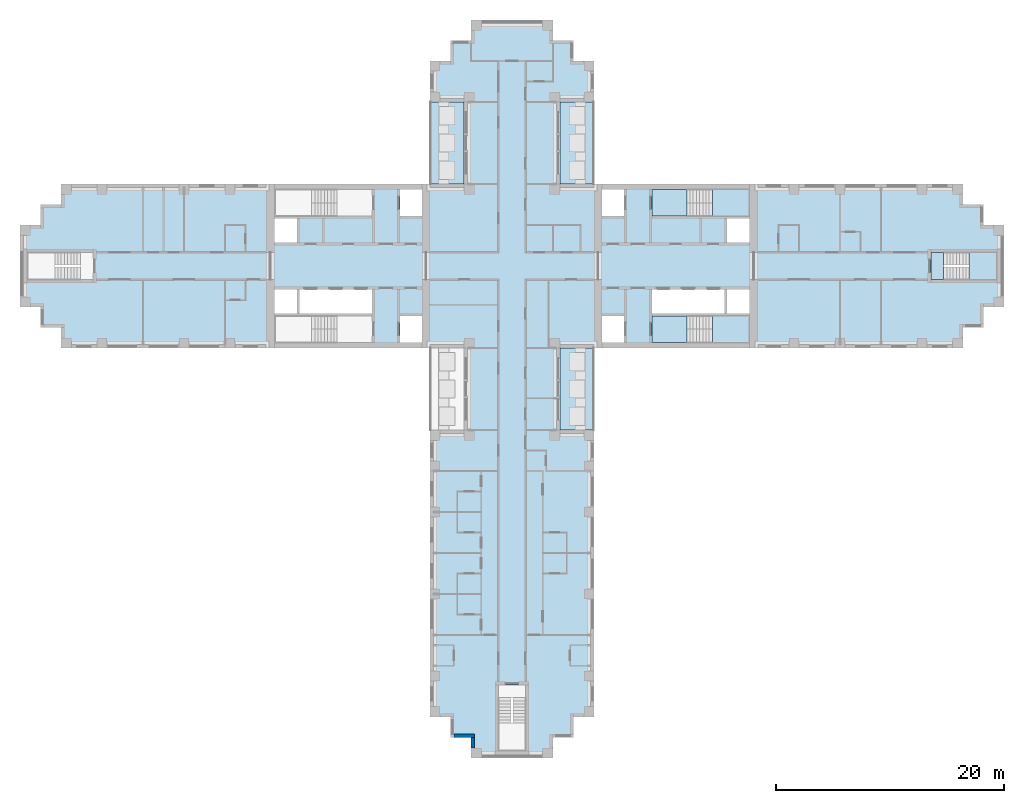
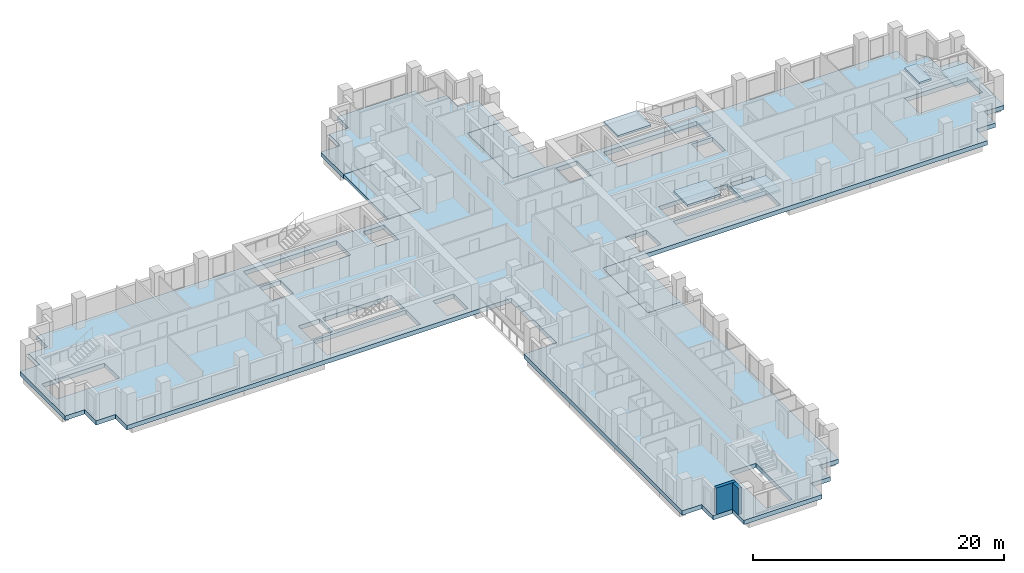
# One storey, part 2 of 13: 10 slabs, 2 walls, 3 elements without a shape of their own.
"""IFC4 building model written with IfcOpenShell, lengths in metres."""

import ifcopenshell
import ifcopenshell.guid

model = None  # the IFC model being written
_history = None  # IfcOwnerHistory: only IFC2X3 demands one
_inside = {}  # id of a spatial element -> (the spatial element, [elements in it])
_under = {}  # id of a project, library or spatial element -> (it, [spatial elements below it])
_declared = {}  # id of a project -> (the project, [libraries it declares])
_typed = {}  # id of a type object -> (the type object, [elements of that type])
_made_of = {}  # id of a material, layer set ... -> (it, [elements and type objects made of it])


def new_model(schema):
    """Start an empty IFC model of exactly this schema.

    Asked for "IFC4X3", IfcOpenShell would pick the latest addendum, in which some entities
    have other attributes; the version numbers below select the first issue.
    IFC2X3 requires an IfcOwnerHistory on every rooted entity: one is made here for all.
    """
    global model, _history
    if schema == "IFC4X3":
        model = ifcopenshell.file(schema_version=(4, 3, 0, 0))
    else:
        model = ifcopenshell.file(schema=schema)
    _inside.clear()
    _under.clear()
    _declared.clear()
    _typed.clear()
    _made_of.clear()
    _history = None
    if model.schema == "IFC2X3":
        org = make("IfcOrganization", Name="unknown")
        user = make(
            "IfcPersonAndOrganization",
            ThePerson=make("IfcPerson", FamilyName="unknown"),
            TheOrganization=org,
        )
        app = make(
            "IfcApplication",
            ApplicationDeveloper=org,
            Version="unknown",
            ApplicationFullName="unknown",
            ApplicationIdentifier="unknown",
        )
        _history = make(
            "IfcOwnerHistory",
            OwningUser=user,
            OwningApplication=app,
            ChangeAction="ADDED",
            CreationDate=0,
        )
    return model


def make(cls, **values):
    """One entity of the class cls with the attributes given. An attribute that is None is left unset."""
    return model.create_entity(
        cls, **{name: value for name, value in values.items() if value is not None}
    )


def rooted(cls, **values):
    """An entity with a GlobalId (a new one), such as an element, a storey or a relation."""
    return make(cls, GlobalId=ifcopenshell.guid.new(), OwnerHistory=_history, **values)


def si_unit(unit_type, name, prefix=None):
    """IfcSIUnit, for example si_unit("LENGTHUNIT", "METRE", prefix="MILLI")."""
    return make("IfcSIUnit", UnitType=unit_type, Prefix=prefix, Name=name)


def assignment(units):
    """IfcUnitAssignment: the units of a project."""
    return None if units is None else make("IfcUnitAssignment", Units=units)


def point(xyz):
    """IfcCartesianPoint."""
    return None if xyz is None else make("IfcCartesianPoint", Coordinates=xyz)


def direction(xyz):
    """IfcDirection."""
    return None if xyz is None else make("IfcDirection", DirectionRatios=xyz)


def frame(location, z_axis=None, x_axis=None):
    """IfcAxis2Placement3D, a coordinate frame: its origin and axes. An axis left out is left unset."""
    return make(
        "IfcAxis2Placement3D",
        Location=point(location),
        Axis=direction(z_axis),
        RefDirection=direction(x_axis),
    )


def frame_2d(location, x_axis=None):
    """IfcAxis2Placement2D, a coordinate frame in the plane: its origin and x axis."""
    return make(
        "IfcAxis2Placement2D", Location=point(location), RefDirection=direction(x_axis)
    )


def origin():
    """The frame at (0, 0, 0) with its axes left unset."""
    return frame((0.0, 0.0, 0.0))


def place(relative_to, where):
    """IfcLocalPlacement: puts the frame where relative to a parent placement (None: the world)."""
    return make(
        "IfcLocalPlacement", PlacementRelTo=relative_to, RelativePlacement=where
    )


def context(
    kind, dimensions, precision=None, world=None, true_north=None, identifier=None
):
    """IfcGeometricRepresentationContext, for example the 3D "Model" context."""
    return make(
        "IfcGeometricRepresentationContext",
        ContextIdentifier=identifier,
        ContextType=kind,
        CoordinateSpaceDimension=dimensions,
        Precision=precision,
        WorldCoordinateSystem=world,
        TrueNorth=true_north,
    )


def subcontext(parent, identifier, kind, view, scale=None):
    """IfcGeometricRepresentationSubContext, for example "Body" below "Model"."""
    return make(
        "IfcGeometricRepresentationSubContext",
        ContextIdentifier=identifier,
        ContextType=kind,
        ParentContext=parent,
        TargetScale=scale,
        TargetView=view,
    )


def project(units=None, contexts=None):
    """IfcProject with its units and contexts."""
    return rooted(
        "IfcProject",
        Name="project",
        RepresentationContexts=contexts,
        UnitsInContext=assignment(units),
    )


def spatial(cls, under=None, at=None, **own):
    """A site, building, storey or space (cls), placed at a placement, below another one or the project."""
    s = rooted(cls, ObjectPlacement=at, **own)
    if under is not None:
        _under.setdefault(under.id(), (under, []))[1].append(s)
    return s


def polyline(points):
    """IfcPolyline through the points."""
    return make("IfcPolyline", Points=[point(p) for p in points])


def profile(cls, at=None, kind="AREA", **sizes):
    """A parametric profile (cls). Its sizes go by their IFC names, for example OverallWidth=200.0."""
    return make(cls, ProfileType=kind, Position=at, **sizes)


def rectangle(**sizes):
    """IfcRectangleProfileDef."""
    return profile("IfcRectangleProfileDef", **sizes)


def outline(outer, holes=None, kind="AREA"):
    """IfcArbitraryClosedProfileDef: a profile drawn as a closed curve; with holes, ...WithVoids."""
    if holes is None:
        return make("IfcArbitraryClosedProfileDef", ProfileType=kind, OuterCurve=outer)
    return make(
        "IfcArbitraryProfileDefWithVoids",
        ProfileType=kind,
        OuterCurve=outer,
        InnerCurves=holes,
    )


def extrude(swept, where, along, depth):
    """IfcExtrudedAreaSolid: the profile swept, set in the frame where, extruded along a direction by depth."""
    return make(
        "IfcExtrudedAreaSolid",
        SweptArea=swept,
        Position=where,
        ExtrudedDirection=direction(along),
        Depth=depth,
    )


def shape(context_of_items, identifier, shape_type, items):
    """IfcShapeRepresentation: the items that make up one representation, for example the "Body"."""
    return make(
        "IfcShapeRepresentation",
        ContextOfItems=context_of_items,
        RepresentationIdentifier=identifier,
        RepresentationType=shape_type,
        Items=items,
    )


def material(Name=None, Category=None):
    """IfcMaterial."""
    return make("IfcMaterial", Name=Name, Category=Category)


def layer(
    of_material, thickness, ventilated=None, Name=None, Category=None, Priority=None
):
    """IfcMaterialLayer: one layer of a wall or slab, of a material (None: an air gap)."""
    return make(
        "IfcMaterialLayer",
        Material=of_material,
        LayerThickness=thickness,
        IsVentilated=ventilated,
        Name=Name,
        Category=Category,
        Priority=Priority,
    )


def layer_set(layers, Name=None):
    """IfcMaterialLayerSet."""
    return make("IfcMaterialLayerSet", MaterialLayers=layers, LayerSetName=Name)


def made_of(thing, what):
    """Note that an element or type object is made of a material, layer set ...; save() writes the relation."""
    if what is not None:
        _made_of.setdefault(what.id(), (what, []))[1].append(thing)
    return thing


def type_object(cls, material=None, **own):
    """A type object (cls), such as IfcWallType, which elements share."""
    return made_of(rooted(cls, **own), material)


def element(
    cls,
    number,
    at=None,
    inside=None,
    cuts=None,
    type_object=None,
    material=None,
    context=None,
    identifier="Body",
    shape_type=None,
    held_by="IfcProductDefinitionShape",
    body=None,
    shapes=None,
    **own,
):
    """One element of the class cls, such as IfcWall. Its Tag is "e" and its number.

    at: its placement. inside: the storey or other place that contains it. cuts: it is an
    opening in that element (IfcRelVoidsElement). A single representation is given by context,
    identifier, shape_type and body (its items); several are given by shapes. held_by: the class
    of the entity that holds the representations. save() writes the other relations.
    """
    e = rooted(cls, Tag="e%d" % number, ObjectPlacement=at, **own)
    if body is not None:
        shapes = [shape(context, identifier, shape_type, body)]
    if shapes is not None:
        e.Representation = make(held_by, Representations=shapes)
    if inside is not None:
        _inside.setdefault(inside.id(), (inside, []))[1].append(e)
    if cuts is not None:
        rooted(
            "IfcRelVoidsElement", RelatingBuildingElement=cuts, RelatedOpeningElement=e
        )
    if type_object is not None:
        _typed.setdefault(type_object.id(), (type_object, []))[1].append(e)
    return made_of(e, material)


def aggregate(whole, parts):
    """IfcRelAggregates: a whole, such as a stair, and the parts it consists of."""
    return rooted("IfcRelAggregates", RelatingObject=whole, RelatedObjects=parts)


def save(model, path):
    """Write the relations noted so far, then the file.

    IfcRelAggregates (storeys below a building ...), IfcRelContainedInSpatialStructure (elements
    in a storey), IfcRelDefinesByType, IfcRelAssociatesMaterial and IfcRelDeclares: one each for
    every whole, place, type object, material and project.
    """
    for whole, parts in _under.values():
        aggregate(whole, parts)
    for where, things in _inside.values():
        rooted(
            "IfcRelContainedInSpatialStructure",
            RelatedElements=things,
            RelatingStructure=where,
        )
    for kind, things in _typed.values():
        rooted("IfcRelDefinesByType", RelatedObjects=things, RelatingType=kind)
    for what, things in _made_of.values():
        rooted("IfcRelAssociatesMaterial", RelatedObjects=things, RelatingMaterial=what)
    for by, libraries in _declared.values():
        rooted("IfcRelDeclares", RelatingContext=by, RelatedDefinitions=libraries)
    model.write(path)


model = new_model("IFC4")

# Units and contexts
model_context = context("Model", 3, precision=1e-05, world=origin(), true_north=direction((0.0, 1.0)))
body_context = subcontext(model_context, "Body", "Model", "MODEL_VIEW")
ifc_project = project(units=[si_unit("LENGTHUNIT", "METRE"), si_unit("AREAUNIT", "SQUARE_METRE"), si_unit("VOLUMEUNIT", "CUBIC_METRE"), si_unit("PLANEANGLEUNIT", "RADIAN"), si_unit("MASSUNIT", "GRAM", prefix="KILO")], contexts=[model_context])

# Site, building, storey
site_placement = place(None, origin())
site = spatial("IfcSite", under=ifc_project, at=site_placement, CompositionType="ELEMENT")
building_placement = place(site_placement, origin())
building = spatial("IfcBuilding", under=site, at=building_placement, Name="Fustian Cross Tower", CompositionType="ELEMENT")
storey_placement = place(building_placement, frame((0.0, 0.0, 84.89990234375)))
storey = spatial("IfcBuildingStorey", under=building, at=storey_placement, Name="L26", CompositionType="ELEMENT", Elevation=84.89990234375)

# Slabs
ifc_material_1 = material(Name="Concrete C40/50", Category="concrete")
ifc_layer_1 = layer(ifc_material_1, 0.300048828125)
ifc_layer_set_1 = layer_set([ifc_layer_1], Name="Concrete C40/50")
slab_type_1 = type_object("IfcSlabType", Name="BS1 BALCONY SLAB 300", PredefinedType="FLOOR", material=ifc_layer_set_1)
slab_1_placement = place(storey_placement, frame((0.0, 0.0, -0.2998046875)))
element("IfcSlab", 1, at=slab_1_placement, inside=storey, type_object=slab_type_1, Name="Balcony slab", PredefinedType="FLOOR", context=body_context, shape_type="SweptSolid", body=[
    extrude(outline(polyline([(4.199951171875, 7.199951171875), (7.199951171875, 7.199951171875), (7.199951171875, 14.39990234375), (4.199951171875, 14.39990234375), (4.199951171875, 7.199951171875)])), origin(), (0.0, 0.0, 1.0), 0.2998046875),
])
slab_2_placement = place(storey_placement, frame((0.0, 0.0, -0.2998046875)))
element("IfcSlab", 2, at=slab_2_placement, inside=storey, type_object=slab_type_1, Name="Balcony slab", PredefinedType="FLOOR", context=body_context, shape_type="SweptSolid", body=[
    extrude(outline(polyline([(-7.199951171875, 7.199951171875), (-4.199951171875, 7.199951171875), (-4.199951171875, 14.39990234375), (-7.199951171875, 14.39990234375), (-7.199951171875, 7.199951171875)])), origin(), (0.0, 0.0, 1.0), 0.2998046875),
])
slab_3_placement = place(storey_placement, frame((0.0, 0.0, -0.2998046875)))
element("IfcSlab", 3, at=slab_3_placement, inside=storey, type_object=slab_type_1, Name="Balcony slab", PredefinedType="FLOOR", context=body_context, shape_type="SweptSolid", body=[
    extrude(outline(polyline([(4.199951171875, -14.39990234375), (7.199951171875, -14.39990234375), (7.199951171875, -7.199951171875), (4.199951171875, -7.199951171875), (4.199951171875, -14.39990234375)])), origin(), (0.0, 0.0, 1.0), 0.2998046875),
])
ifc_material_2 = material(Name="Concrete C40/50", Category="concrete")
ifc_layer_2 = layer(ifc_material_2, 0.425048828125)
ifc_layer_set_2 = layer_set([ifc_layer_2], Name="Concrete C40/50")
slab_type_2 = type_object("IfcSlabType", Name="FLAT SLAB 425", PredefinedType="FLOOR", material=ifc_layer_set_2)
slab_4_placement = place(storey_placement, frame((0.0, 0.0, -0.4248046875)))
element("IfcSlab", 4, at=slab_4_placement, inside=storey, type_object=slab_type_2, Name="FLOOR SLAB L26-1", PredefinedType="FLOOR", context=body_context, shape_type="SweptSolid", body=[
    extrude(outline(polyline([(-4.199951171875, -7.199951171875), (-39.60009765625, -7.199951171875), (-39.60009765625, -5.39990234375), (-41.39990234375, -5.39990234375), (-41.39990234375, -3.60009765625), (-43.199951171875, -3.60009765625), (-43.199951171875, 3.60009765625), (-41.39990234375, 3.60009765625), (-41.39990234375, 5.39990234375), (-39.60009765625, 5.39990234375), (-39.60009765625, 7.199951171875), (-4.199951171875, 7.199951171875), (-4.199951171875, 14.39990234375), (-7.199951171875, 14.39990234375), (-7.199951171875, 18.0), (-5.39990234375, 18.0), (-5.39990234375, 19.800048828125), (-3.60009765625, 19.800048828125), (-3.60009765625, 21.60009765625), (3.60009765625, 21.60009765625), (3.60009765625, 19.800048828125), (5.39990234375, 19.800048828125), (5.39990234375, 18.0), (7.199951171875, 18.0), (7.199951171875, 14.39990234375), (4.199951171875, 14.39990234375), (4.199951171875, 7.199951171875), (39.60009765625, 7.199951171875), (39.60009765625, 5.39990234375), (41.39990234375, 5.39990234375), (41.39990234375, 3.60009765625), (43.199951171875, 3.60009765625), (43.199951171875, -3.60009765625), (41.39990234375, -3.60009765625), (41.39990234375, -5.39990234375), (39.60009765625, -5.39990234375), (39.60009765625, -7.199951171875), (4.199951171875, -7.199951171875), (4.199951171875, -14.39990234375), (7.199951171875, -14.39990234375), (7.199951171875, -39.60009765625), (5.39990234375, -39.60009765625), (5.39990234375, -41.39990234375), (3.60009765625, -41.39990234375), (3.60009765625, -43.199951171875), (-3.60009765625, -43.199951171875), (-3.60009765625, -41.39990234375), (-5.39990234375, -41.39990234375), (-5.39990234375, -39.60009765625), (-7.199951171875, -39.60009765625), (-7.199951171875, -14.39990234375), (-4.199951171875, -14.39990234375), (-4.199951171875, -7.199951171875)]), holes=[polyline([(20.85009765625, -2.050048828125), (18.89990234375, -2.050048828125), (18.89990234375, -4.14990234375), (20.85009765625, -4.14990234375), (20.85009765625, -2.050048828125)]), polyline([(20.85009765625, 2.050048828125), (20.85009765625, 4.14990234375), (18.89990234375, 4.14990234375), (18.89990234375, 2.050048828125), (20.85009765625, 2.050048828125)]), polyline([(7.89990234375, 4.39990234375), (9.85009765625, 4.39990234375), (9.85009765625, 6.699951171875), (7.89990234375, 6.699951171875), (7.89990234375, 4.39990234375)]), polyline([(7.89990234375, -4.39990234375), (7.89990234375, -6.699951171875), (9.85009765625, -6.699951171875), (9.85009765625, -4.39990234375), (7.89990234375, -4.39990234375)]), polyline([(-18.89990234375, -2.050048828125), (-20.85009765625, -2.050048828125), (-20.85009765625, -4.14990234375), (-18.89990234375, -4.14990234375), (-18.89990234375, -2.050048828125)]), polyline([(-18.89990234375, 2.050048828125), (-18.89990234375, 4.14990234375), (-20.85009765625, 4.14990234375), (-20.85009765625, 2.050048828125), (-18.89990234375, 2.050048828125)]), polyline([(-9.85009765625, 4.39990234375), (-7.89990234375, 4.39990234375), (-7.89990234375, 6.699951171875), (-9.85009765625, 6.699951171875), (-9.85009765625, 4.39990234375)]), polyline([(-9.85009765625, -4.39990234375), (-9.85009765625, -6.699951171875), (-7.89990234375, -6.699951171875), (-7.89990234375, -4.39990234375), (-9.85009765625, -4.39990234375)]), polyline([(18.64990234375, -2.050048828125), (12.300048828125, -2.050048828125), (12.300048828125, -4.14990234375), (18.64990234375, -4.14990234375), (18.64990234375, -2.050048828125)]), polyline([(-12.300048828125, -4.14990234375), (-12.300048828125, -2.050048828125), (-18.64990234375, -2.050048828125), (-18.64990234375, -4.14990234375), (-12.300048828125, -4.14990234375)]), polyline([(12.300048828125, 4.39990234375), (20.85009765625, 4.39990234375), (20.85009765625, 6.699951171875), (12.300048828125, 6.699951171875), (12.300048828125, 4.39990234375)]), polyline([(12.300048828125, -4.39990234375), (12.300048828125, -6.699951171875), (20.85009765625, -6.699951171875), (20.85009765625, -4.39990234375), (12.300048828125, -4.39990234375)]), polyline([(-12.300048828125, 6.699951171875), (-20.85009765625, 6.699951171875), (-20.85009765625, 4.39990234375), (-12.300048828125, 4.39990234375), (-12.300048828125, 6.699951171875)]), polyline([(-12.300048828125, -6.699951171875), (-12.300048828125, -4.39990234375), (-20.85009765625, -4.39990234375), (-20.85009765625, -6.699951171875), (-12.300048828125, -6.699951171875)]), polyline([(-1.199951171875, -42.60009765625), (1.199951171875, -42.60009765625), (1.199951171875, -36.800048828125), (-1.199951171875, -36.800048828125), (-1.199951171875, -42.60009765625)]), polyline([(36.800048828125, 1.199951171875), (36.800048828125, -1.199951171875), (42.60009765625, -1.199951171875), (42.60009765625, 1.199951171875), (36.800048828125, 1.199951171875)]), polyline([(-36.800048828125, 1.199951171875), (-42.60009765625, 1.199951171875), (-42.60009765625, -1.199951171875), (-36.800048828125, -1.199951171875), (-36.800048828125, 1.199951171875)])]), origin(), (0.0, 0.0, 1.0), 0.4248046875),
])

# Stair, slabs
ifc_material_3 = material(Name="Concrete C50/60", Category="concrete")
stair_type_1 = type_object("IfcStairType", Name="STAIR 1150 HALF TURN", PredefinedType="HALF_TURN_STAIR", material=ifc_material_3)
stair_1_placement = place(storey_placement, origin())
stair_1 = element("IfcStair", 5, at=stair_1_placement, inside=storey, type_object=stair_type_1, Name="Stair ST1", PredefinedType="HALF_TURN_STAIR")
ifc_material_4 = material(Name="Concrete C50/60", Category="concrete")
ifc_layer_3 = layer(ifc_material_4, 0.199951171875)
ifc_layer_set_3 = layer_set([ifc_layer_3], Name="Concrete C50/60")
slab_type_3 = type_object("IfcSlabType", Name="STAIR LANDING", PredefinedType="LANDING", material=ifc_layer_set_3)
slab_5_placement = place(storey_placement, frame((0.0, 0.0, 1.300048828125)))
slab_5 = element("IfcSlab", 6, at=slab_5_placement, type_object=slab_type_3, Name="ST1 landing 1", PredefinedType="LANDING", context=body_context, shape_type="SweptSolid", body=[
    extrude(outline(polyline([(17.590087890625, 4.39990234375), (20.85009765625, 4.39990234375), (20.85009765625, 6.699951171875), (17.590087890625, 6.699951171875), (17.590087890625, 4.39990234375)])), origin(), (0.0, 0.0, 1.0), 0.199951171875),
])
slab_6_placement = place(storey_placement, frame((0.0, 0.0, 2.800048828125)))
slab_6 = element("IfcSlab", 7, at=slab_6_placement, type_object=slab_type_3, Name="ST1 landing 2", PredefinedType="LANDING", context=body_context, shape_type="SweptSolid", body=[
    extrude(outline(polyline([(12.300048828125, 4.39990234375), (15.35009765625, 4.39990234375), (15.35009765625, 6.699951171875), (12.300048828125, 6.699951171875), (12.300048828125, 4.39990234375)])), origin(), (0.0, 0.0, 1.0), 0.199951171875),
])
aggregate(stair_1, [slab_5, slab_6])

stair_2_placement = place(storey_placement, origin())
stair_2 = element("IfcStair", 8, at=stair_2_placement, inside=storey, type_object=stair_type_1, Name="Stair ST2", PredefinedType="HALF_TURN_STAIR")
slab_7_placement = place(storey_placement, frame((0.0, 0.0, 1.300048828125)))
slab_7 = element("IfcSlab", 9, at=slab_7_placement, type_object=slab_type_3, Name="ST2 landing 1", PredefinedType="LANDING", context=body_context, shape_type="SweptSolid", body=[
    extrude(outline(polyline([(17.590087890625, -4.39990234375), (20.85009765625, -4.39990234375), (20.85009765625, -6.699951171875), (17.590087890625, -6.699951171875), (17.590087890625, -4.39990234375)])), origin(), (0.0, 0.0, 1.0), 0.199951171875),
])
slab_8_placement = place(storey_placement, frame((0.0, 0.0, 2.800048828125)))
slab_8 = element("IfcSlab", 10, at=slab_8_placement, type_object=slab_type_3, Name="ST2 landing 2", PredefinedType="LANDING", context=body_context, shape_type="SweptSolid", body=[
    extrude(outline(polyline([(12.300048828125, -4.39990234375), (15.35009765625, -4.39990234375), (15.35009765625, -6.699951171875), (12.300048828125, -6.699951171875), (12.300048828125, -4.39990234375)])), origin(), (0.0, 0.0, 1.0), 0.199951171875),
])
aggregate(stair_2, [slab_7, slab_8])

ifc_material_5 = material(Name="Concrete C50/60", Category="concrete")
stair_type_2 = type_object("IfcStairType", Name="STAIR 1100 HALF TURN", PredefinedType="HALF_TURN_STAIR", material=ifc_material_5)
stair_3_placement = place(storey_placement, origin())
stair_3 = element("IfcStair", 11, at=stair_3_placement, inside=storey, type_object=stair_type_2, Name="Stair ST8", PredefinedType="HALF_TURN_STAIR")
slab_9_placement = place(storey_placement, frame((0.0, 0.0, 1.300048828125)))
slab_9 = element("IfcSlab", 12, at=slab_9_placement, type_object=slab_type_3, Name="ST8 landing 1", PredefinedType="LANDING", context=body_context, shape_type="SweptSolid", body=[
    extrude(outline(polyline([(40.139892578125, -1.199951171875), (42.60009765625, -1.199951171875), (42.60009765625, 1.199951171875), (40.139892578125, 1.199951171875), (40.139892578125, -1.199951171875)])), origin(), (0.0, 0.0, 1.0), 0.199951171875),
])
slab_10_placement = place(storey_placement, frame((0.0, 0.0, 2.800048828125)))
slab_10 = element("IfcSlab", 13, at=slab_10_placement, type_object=slab_type_3, Name="ST8 landing 2", PredefinedType="LANDING", context=body_context, shape_type="SweptSolid", body=[
    extrude(outline(polyline([(36.800048828125, -1.199951171875), (37.89990234375, -1.199951171875), (37.89990234375, 1.199951171875), (36.800048828125, 1.199951171875), (36.800048828125, -1.199951171875)])), origin(), (0.0, 0.0, 1.0), 0.199951171875),
])
aggregate(stair_3, [slab_9, slab_10])

# Walls
ifc_material_6 = material(Name="Dark aluminium cladding on insulated backing wall", Category="aluminium")
ifc_layer_4 = layer(ifc_material_6, 0.300048828125)
ifc_layer_set_4 = layer_set([ifc_layer_4], Name="Dark aluminium cladding on insulated backing wall")
wall_type = type_object("IfcWallType", Name="XW1 EXTERNAL WALL 300", PredefinedType="SOLIDWALL", material=ifc_layer_set_4)
wall_1_placement = place(storey_placement, frame((-5.10009765625, -41.25, 0.0), z_axis=(0.0, 0.0, 1.0), x_axis=(1.0, 0.0, 0.0)))
element("IfcWall", 14, at=wall_1_placement, inside=storey, type_object=wall_type, Name="External wall", PredefinedType="SOLIDWALL", context=body_context, shape_type="SweptSolid", body=[
    extrude(rectangle(XDim=1.800048828125, YDim=0.300048828125, at=frame_2d((0.89990234375, 0.0))), origin(), (0.0, 0.0, 1.0), 2.5751953125),
])
wall_2_placement = place(storey_placement, frame((-3.449951171875, -41.39990234375, 0.0), z_axis=(0.0, 0.0, 1.0), x_axis=(0.0, -1.0, 0.0)))
element("IfcWall", 15, at=wall_2_placement, inside=storey, type_object=wall_type, Name="External wall", PredefinedType="SOLIDWALL", context=body_context, shape_type="SweptSolid", body=[
    extrude(rectangle(XDim=0.900146484375, YDim=0.300048828125, at=frame_2d((0.4501953125, 0.0))), origin(), (0.0, 0.0, 1.0), 2.5751953125),
])

save(model, "model.ifc")
